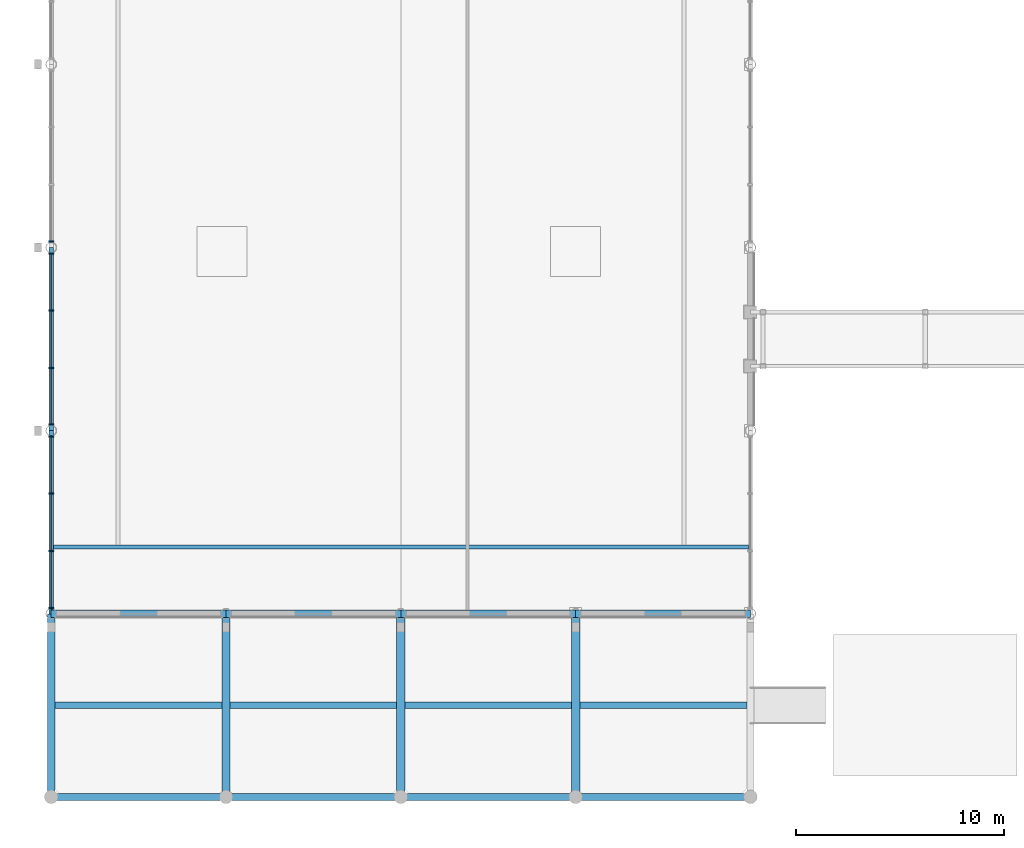
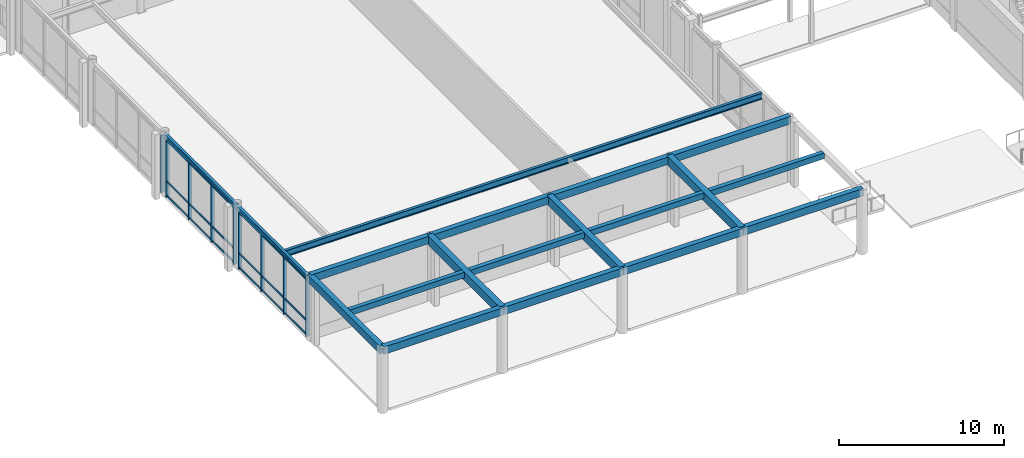
# One storey, part 11 of 58: 27 members, 19 beams, 3 elements without a shape of their own.
"""IFC4 building model written with IfcOpenShell, lengths in metres."""

from ifc_helpers import new_model, si_unit, direction, frame, origin, origin_2d, place, context, subcontext, project, spatial, rectangle, i_section, extrude, material, material_profile, profile_set, type_object, element, aggregate, save


model = new_model("IFC4")

# Units and contexts
model_context = context("Model", 3, precision=1e-05, world=origin(), true_north=direction((0.0, 1.0)))
body_context = subcontext(model_context, "Body", "Model", "MODEL_VIEW")
ifc_project = project(units=[si_unit("LENGTHUNIT", "METRE"), si_unit("AREAUNIT", "SQUARE_METRE"), si_unit("VOLUMEUNIT", "CUBIC_METRE"), si_unit("PLANEANGLEUNIT", "RADIAN"), si_unit("MASSUNIT", "GRAM", prefix="KILO")], contexts=[model_context])

# Site, building, storey
site_placement = place(None, origin())
site = spatial("IfcSite", under=ifc_project, at=site_placement, CompositionType="ELEMENT")
building_placement = place(site_placement, origin())
building = spatial("IfcBuilding", under=site, at=building_placement, Name="Kemercrest Conservatory and Botanical Centre", CompositionType="ELEMENT")
storey_placement = place(building_placement, origin())
storey = spatial("IfcBuildingStorey", under=building, at=storey_placement, Name="L00", CompositionType="ELEMENT", Elevation=0.0)

# Beams
ifc_material_1 = material(Name="Concrete C40/50", Category="concrete")
ifc_material_profile_1 = material_profile(ifc_material_1, rectangle(XDim=0.39990234375, YDim=0.64990234375, at=origin_2d()), Name="RC 400x650")
ifc_profile_set_1 = profile_set([ifc_material_profile_1], Name="Concrete C40/50")
beam_type_1 = type_object("IfcBeamType", Name="BM-RC65", PredefinedType="BEAM", material=ifc_profile_set_1)
for number, where, z_axis, x_axis, name in (
    (1, (16.39990234375, 8.0, 4.47509765625), (0.0, 1.0, 0.0), (-1.0, 0.0, 0.0), "V1COL beam BM-RC65 02/A-B"),
    (2, (24.800048828125, 8.0, 4.47509765625), (0.0, 1.0, 0.0), (-1.0, 0.0, 0.0), "V1COL beam BM-RC65 03/A-B"),
    (3, (33.199951171875, 8.0, 4.47509765625), (0.0, 1.0, 0.0), (-1.0, 0.0, 0.0), "V1COL beam BM-RC65 04/A-B"),
):
    element("IfcBeam", number, at=place(storey_placement, frame(where, z_axis=z_axis, x_axis=x_axis)), inside=storey, type_object=beam_type_1, Name=name, PredefinedType="BEAM", context=body_context, shape_type="SweptSolid", body=[
        extrude(rectangle(XDim=0.39990234375, YDim=0.64990234375, at=origin_2d()), origin(), (0.0, 0.0, 1.0), 8.800048828125),
    ])
ifc_material_2 = material(Name="Steel CSA G40.21 350W", Category="steel")
ifc_material_profile_2 = material_profile(ifc_material_2, i_section(OverallWidth=0.194091796875, OverallDepth=0.468994140625, WebThickness=0.0126953125, FlangeThickness=0.0205078125, FilletRadius=0.01806640625, at=origin_2d()), Name="W460X106")
ifc_profile_set_2 = profile_set([ifc_material_profile_2], Name="Steel CSA G40.21 350W")
beam_type_2 = type_object("IfcBeamType", Name="BM-W460", PredefinedType="BEAM", material=ifc_profile_set_2)
beam_1_placement = place(storey_placement, frame((8.10009765625, 20.0, 4.345458984375), z_axis=(1.0, 0.0, 0.0), x_axis=(0.0, 1.0, 0.0)))
element("IfcBeam", 4, at=beam_1_placement, inside=storey, type_object=beam_type_2, Name="Conservatory canopy inner edge girder", PredefinedType="BEAM", context=body_context, shape_type="SweptSolid", body=[
    extrude(i_section(OverallWidth=0.194091796875, OverallDepth=0.468994140625, WebThickness=0.0126953125, FlangeThickness=0.0205078125, FilletRadius=0.01806640625, at=origin_2d()), origin(), (0.0, 0.0, 1.0), 33.39990234375),
])

# Curtain wall, member
ifc_material_3 = material(Name="Thermally broken aluminium and triple low-e glazing", Category="aluminium")
curtain_wall_type_1 = type_object("IfcCurtainWallType", Name="CW-06", PredefinedType="USERDEFINED", material=ifc_material_3)
curtain_wall_1_placement = place(storey_placement, origin())
curtain_wall_1 = element("IfcCurtainWall", 5, at=curtain_wall_1_placement, inside=storey, type_object=curtain_wall_type_1, Name="Unitised curtain wall CW-06 (CW:L00:V1-005)", ObjectType="UNITISED CURTAIN WALL", PredefinedType="USERDEFINED")
ifc_material_4 = material(Name="Thermally broken anodized aluminium 6063-T6", Category="aluminium")
ifc_material_profile_3 = material_profile(ifc_material_4, rectangle(XDim=0.239990234375, YDim=0.074951171875, at=origin_2d()), Name="AL MULLION 75x240")
ifc_profile_set_3 = profile_set([ifc_material_profile_3], Name="Thermally broken anodized aluminium 6063-T6")
member_type_1 = type_object("IfcMemberType", Name="CW-M225", PredefinedType="MULLION", material=ifc_profile_set_3)
member_1_placement = place(storey_placement, frame((8.0, 34.6865234375, 0.0), z_axis=(0.0, 0.0, 1.0), x_axis=(1.0, 0.0, 0.0)))
member_1 = element("IfcMember", 6, at=member_1_placement, type_object=member_type_1, Name="CW-06 mullion 4", PredefinedType="MULLION", context=body_context, shape_type="SweptSolid", body=[
    extrude(rectangle(XDim=0.239990234375, YDim=0.074951171875, at=origin_2d()), origin(), (0.0, 0.0, 1.0), 4.23095703125),
])
aggregate(curtain_wall_1, [member_1])

# Curtain wall, members
curtain_wall_type_2 = type_object("IfcCurtainWallType", Name="CW-07", PredefinedType="USERDEFINED", material=ifc_material_3)
curtain_wall_2_placement = place(storey_placement, origin())
curtain_wall_2 = element("IfcCurtainWall", 7, at=curtain_wall_2_placement, inside=storey, type_object=curtain_wall_type_2, Name="Unitised curtain wall CW-07 (CW:L00:V1-006)", ObjectType="UNITISED CURTAIN WALL", PredefinedType="USERDEFINED")
member_2_placement = place(storey_placement, frame((8.0, 34.113525390625, 0.0), z_axis=(0.0, 0.0, 1.0), x_axis=(1.0, 0.0, 0.0)))
member_2 = element("IfcMember", 8, at=member_2_placement, type_object=member_type_1, Name="CW-07 mullion 1", PredefinedType="MULLION", context=body_context, shape_type="SweptSolid", body=[
    extrude(rectangle(XDim=0.239990234375, YDim=0.074951171875, at=origin_2d()), origin(), (0.0, 0.0, 1.0), 4.23095703125),
])
member_3_placement = place(storey_placement, frame((8.0, 31.383544921875, 0.0), z_axis=(0.0, 0.0, 1.0), x_axis=(1.0, 0.0, 0.0)))
member_3 = element("IfcMember", 9, at=member_3_placement, type_object=member_type_1, Name="CW-07 mullion 2", PredefinedType="MULLION", context=body_context, shape_type="SweptSolid", body=[
    extrude(rectangle(XDim=0.239990234375, YDim=0.074951171875, at=origin_2d()), origin(), (0.0, 0.0, 1.0), 4.23095703125),
])
member_4_placement = place(storey_placement, frame((8.0, 28.616455078125, 0.0), z_axis=(0.0, 0.0, 1.0), x_axis=(1.0, 0.0, 0.0)))
member_4 = element("IfcMember", 10, at=member_4_placement, type_object=member_type_1, Name="CW-07 mullion 3", PredefinedType="MULLION", context=body_context, shape_type="SweptSolid", body=[
    extrude(rectangle(XDim=0.239990234375, YDim=0.074951171875, at=origin_2d()), origin(), (0.0, 0.0, 1.0), 4.23095703125),
])
member_5_placement = place(storey_placement, frame((8.0, 25.886474609375, 0.0), z_axis=(0.0, 0.0, 1.0), x_axis=(1.0, 0.0, 0.0)))
member_5 = element("IfcMember", 11, at=member_5_placement, type_object=member_type_1, Name="CW-07 mullion 4", PredefinedType="MULLION", context=body_context, shape_type="SweptSolid", body=[
    extrude(rectangle(XDim=0.239990234375, YDim=0.074951171875, at=origin_2d()), origin(), (0.0, 0.0, 1.0), 4.23095703125),
])

curtain_wall_type_3 = type_object("IfcCurtainWallType", Name="CW-08", PredefinedType="USERDEFINED", material=ifc_material_3)
curtain_wall_3_placement = place(storey_placement, origin())
curtain_wall_3 = element("IfcCurtainWall", 12, at=curtain_wall_3_placement, inside=storey, type_object=curtain_wall_type_3, Name="Unitised curtain wall CW-08 (CW:L00:V1-007)", ObjectType="UNITISED CURTAIN WALL", PredefinedType="USERDEFINED")
member_6_placement = place(storey_placement, frame((8.0, 25.3134765625, 0.0), z_axis=(0.0, 0.0, 1.0), x_axis=(1.0, 0.0, 0.0)))
member_6 = element("IfcMember", 13, at=member_6_placement, type_object=member_type_1, Name="CW-08 mullion 1", PredefinedType="MULLION", context=body_context, shape_type="SweptSolid", body=[
    extrude(rectangle(XDim=0.239990234375, YDim=0.074951171875, at=origin_2d()), origin(), (0.0, 0.0, 1.0), 4.23095703125),
])
member_7_placement = place(storey_placement, frame((8.0, 22.583740234375, 0.0), z_axis=(0.0, 0.0, 1.0), x_axis=(1.0, 0.0, 0.0)))
member_7 = element("IfcMember", 14, at=member_7_placement, type_object=member_type_1, Name="CW-08 mullion 2", PredefinedType="MULLION", context=body_context, shape_type="SweptSolid", body=[
    extrude(rectangle(XDim=0.239990234375, YDim=0.074951171875, at=origin_2d()), origin(), (0.0, 0.0, 1.0), 4.23095703125),
])
member_8_placement = place(storey_placement, frame((8.0, 19.81640625, 0.0), z_axis=(0.0, 0.0, 1.0), x_axis=(1.0, 0.0, 0.0)))
member_8 = element("IfcMember", 15, at=member_8_placement, type_object=member_type_1, Name="CW-08 mullion 3", PredefinedType="MULLION", context=body_context, shape_type="SweptSolid", body=[
    extrude(rectangle(XDim=0.239990234375, YDim=0.074951171875, at=origin_2d()), origin(), (0.0, 0.0, 1.0), 4.23095703125),
])
member_9_placement = place(storey_placement, frame((8.0, 17.08642578125, 0.0), z_axis=(0.0, 0.0, 1.0), x_axis=(1.0, 0.0, 0.0)))
member_9 = element("IfcMember", 16, at=member_9_placement, type_object=member_type_1, Name="CW-08 mullion 4", PredefinedType="MULLION", context=body_context, shape_type="SweptSolid", body=[
    extrude(rectangle(XDim=0.239990234375, YDim=0.074951171875, at=origin_2d()), origin(), (0.0, 0.0, 1.0), 4.23095703125),
])

# Member
ifc_material_profile_4 = material_profile(ifc_material_4, rectangle(XDim=0.06494140625, YDim=0.14990234375, at=origin_2d()), Name="AL TRANSOM 65x150")
ifc_profile_set_4 = profile_set([ifc_material_profile_4], Name="Thermally broken anodized aluminium 6063-T6")
member_type_2 = type_object("IfcMemberType", Name="CW-T200", PredefinedType="USERDEFINED", material=ifc_profile_set_4)
member_10_placement = place(storey_placement, frame((8.0, 34.075927734375, 0.074951171875), z_axis=(0.0, -1.0, 0.0), x_axis=(1.0, 0.0, 0.0)))
member_10 = element("IfcMember", 17, at=member_10_placement, type_object=member_type_2, Name="CW-07 transom 1.1", ObjectType="TRANSOM", PredefinedType="USERDEFINED", context=body_context, shape_type="SweptSolid", body=[
    extrude(rectangle(XDim=0.06494140625, YDim=0.14990234375, at=origin_2d()), origin(), (0.0, 0.0, 1.0), 2.65478515625),
])

member_11_placement = place(storey_placement, frame((8.0, 34.075927734375, 1.1201171875), z_axis=(0.0, -1.0, 0.0), x_axis=(1.0, 0.0, 0.0)))
member_11 = element("IfcMember", 18, at=member_11_placement, type_object=member_type_2, Name="CW-07 transom 1.2", ObjectType="TRANSOM", PredefinedType="USERDEFINED", context=body_context, shape_type="SweptSolid", body=[
    extrude(rectangle(XDim=0.06494140625, YDim=0.14990234375, at=origin_2d()), origin(), (0.0, 0.0, 1.0), 2.65478515625),
])

member_12_placement = place(storey_placement, frame((8.0, 34.075927734375, 4.156005859375), z_axis=(0.0, -1.0, 0.0), x_axis=(1.0, 0.0, 0.0)))
member_12 = element("IfcMember", 19, at=member_12_placement, type_object=member_type_2, Name="CW-07 transom 1.3", ObjectType="TRANSOM", PredefinedType="USERDEFINED", context=body_context, shape_type="SweptSolid", body=[
    extrude(rectangle(XDim=0.06494140625, YDim=0.14990234375, at=origin_2d()), origin(), (0.0, 0.0, 1.0), 2.65478515625),
])

member_13_placement = place(storey_placement, frame((8.0, 31.34619140625, 0.074951171875), z_axis=(0.0, -1.0, 0.0), x_axis=(1.0, 0.0, 0.0)))
member_13 = element("IfcMember", 20, at=member_13_placement, type_object=member_type_2, Name="CW-07 transom 2.1", ObjectType="TRANSOM", PredefinedType="USERDEFINED", context=body_context, shape_type="SweptSolid", body=[
    extrude(rectangle(XDim=0.06494140625, YDim=0.14990234375, at=origin_2d()), origin(), (0.0, 0.0, 1.0), 2.6923828125),
])

member_14_placement = place(storey_placement, frame((8.0, 31.34619140625, 1.1201171875), z_axis=(0.0, -1.0, 0.0), x_axis=(1.0, 0.0, 0.0)))
member_14 = element("IfcMember", 21, at=member_14_placement, type_object=member_type_2, Name="CW-07 transom 2.2", ObjectType="TRANSOM", PredefinedType="USERDEFINED", context=body_context, shape_type="SweptSolid", body=[
    extrude(rectangle(XDim=0.06494140625, YDim=0.14990234375, at=origin_2d()), origin(), (0.0, 0.0, 1.0), 2.6923828125),
])

member_15_placement = place(storey_placement, frame((8.0, 31.34619140625, 4.156005859375), z_axis=(0.0, -1.0, 0.0), x_axis=(1.0, 0.0, 0.0)))
member_15 = element("IfcMember", 22, at=member_15_placement, type_object=member_type_2, Name="CW-07 transom 2.3", ObjectType="TRANSOM", PredefinedType="USERDEFINED", context=body_context, shape_type="SweptSolid", body=[
    extrude(rectangle(XDim=0.06494140625, YDim=0.14990234375, at=origin_2d()), origin(), (0.0, 0.0, 1.0), 2.6923828125),
])

member_16_placement = place(storey_placement, frame((8.0, 28.578857421875, 0.074951171875), z_axis=(0.0, -1.0, 0.0), x_axis=(1.0, 0.0, 0.0)))
member_16 = element("IfcMember", 23, at=member_16_placement, type_object=member_type_2, Name="CW-07 transom 3.1", ObjectType="TRANSOM", PredefinedType="USERDEFINED", context=body_context, shape_type="SweptSolid", body=[
    extrude(rectangle(XDim=0.06494140625, YDim=0.14990234375, at=origin_2d()), origin(), (0.0, 0.0, 1.0), 2.65478515625),
])

member_17_placement = place(storey_placement, frame((8.0, 28.578857421875, 1.1201171875), z_axis=(0.0, -1.0, 0.0), x_axis=(1.0, 0.0, 0.0)))
member_17 = element("IfcMember", 24, at=member_17_placement, type_object=member_type_2, Name="CW-07 transom 3.2", ObjectType="TRANSOM", PredefinedType="USERDEFINED", context=body_context, shape_type="SweptSolid", body=[
    extrude(rectangle(XDim=0.06494140625, YDim=0.14990234375, at=origin_2d()), origin(), (0.0, 0.0, 1.0), 2.65478515625),
])

member_18_placement = place(storey_placement, frame((8.0, 28.578857421875, 4.156005859375), z_axis=(0.0, -1.0, 0.0), x_axis=(1.0, 0.0, 0.0)))
member_18 = element("IfcMember", 25, at=member_18_placement, type_object=member_type_2, Name="CW-07 transom 3.3", ObjectType="TRANSOM", PredefinedType="USERDEFINED", context=body_context, shape_type="SweptSolid", body=[
    extrude(rectangle(XDim=0.06494140625, YDim=0.14990234375, at=origin_2d()), origin(), (0.0, 0.0, 1.0), 2.65478515625),
])

aggregate(curtain_wall_2, [member_2, member_3, member_4, member_5, member_10, member_11, member_12, member_13, member_14, member_15, member_16, member_17, member_18])

member_19_placement = place(storey_placement, frame((8.0, 25.27587890625, 0.074951171875), z_axis=(0.0, -1.0, 0.0), x_axis=(1.0, 0.0, 0.0)))
member_19 = element("IfcMember", 26, at=member_19_placement, type_object=member_type_2, Name="CW-08 transom 1.1", ObjectType="TRANSOM", PredefinedType="USERDEFINED", context=body_context, shape_type="SweptSolid", body=[
    extrude(rectangle(XDim=0.06494140625, YDim=0.14990234375, at=origin_2d()), origin(), (0.0, 0.0, 1.0), 2.65478515625),
])

member_20_placement = place(storey_placement, frame((8.0, 25.27587890625, 1.1201171875), z_axis=(0.0, -1.0, 0.0), x_axis=(1.0, 0.0, 0.0)))
member_20 = element("IfcMember", 27, at=member_20_placement, type_object=member_type_2, Name="CW-08 transom 1.2", ObjectType="TRANSOM", PredefinedType="USERDEFINED", context=body_context, shape_type="SweptSolid", body=[
    extrude(rectangle(XDim=0.06494140625, YDim=0.14990234375, at=origin_2d()), origin(), (0.0, 0.0, 1.0), 2.65478515625),
])

member_21_placement = place(storey_placement, frame((8.0, 25.27587890625, 4.156005859375), z_axis=(0.0, -1.0, 0.0), x_axis=(1.0, 0.0, 0.0)))
member_21 = element("IfcMember", 28, at=member_21_placement, type_object=member_type_2, Name="CW-08 transom 1.3", ObjectType="TRANSOM", PredefinedType="USERDEFINED", context=body_context, shape_type="SweptSolid", body=[
    extrude(rectangle(XDim=0.06494140625, YDim=0.14990234375, at=origin_2d()), origin(), (0.0, 0.0, 1.0), 2.65478515625),
])

member_22_placement = place(storey_placement, frame((8.0, 22.546142578125, 0.074951171875), z_axis=(0.0, -1.0, 0.0), x_axis=(1.0, 0.0, 0.0)))
member_22 = element("IfcMember", 29, at=member_22_placement, type_object=member_type_2, Name="CW-08 transom 2.1", ObjectType="TRANSOM", PredefinedType="USERDEFINED", context=body_context, shape_type="SweptSolid", body=[
    extrude(rectangle(XDim=0.06494140625, YDim=0.14990234375, at=origin_2d()), origin(), (0.0, 0.0, 1.0), 2.6923828125),
])

member_23_placement = place(storey_placement, frame((8.0, 22.546142578125, 1.1201171875), z_axis=(0.0, -1.0, 0.0), x_axis=(1.0, 0.0, 0.0)))
member_23 = element("IfcMember", 30, at=member_23_placement, type_object=member_type_2, Name="CW-08 transom 2.2", ObjectType="TRANSOM", PredefinedType="USERDEFINED", context=body_context, shape_type="SweptSolid", body=[
    extrude(rectangle(XDim=0.06494140625, YDim=0.14990234375, at=origin_2d()), origin(), (0.0, 0.0, 1.0), 2.6923828125),
])

member_24_placement = place(storey_placement, frame((8.0, 22.546142578125, 4.156005859375), z_axis=(0.0, -1.0, 0.0), x_axis=(1.0, 0.0, 0.0)))
member_24 = element("IfcMember", 31, at=member_24_placement, type_object=member_type_2, Name="CW-08 transom 2.3", ObjectType="TRANSOM", PredefinedType="USERDEFINED", context=body_context, shape_type="SweptSolid", body=[
    extrude(rectangle(XDim=0.06494140625, YDim=0.14990234375, at=origin_2d()), origin(), (0.0, 0.0, 1.0), 2.6923828125),
])

member_25_placement = place(storey_placement, frame((8.0, 19.77880859375, 0.074951171875), z_axis=(0.0, -1.0, 0.0), x_axis=(1.0, 0.0, 0.0)))
member_25 = element("IfcMember", 32, at=member_25_placement, type_object=member_type_2, Name="CW-08 transom 3.1", ObjectType="TRANSOM", PredefinedType="USERDEFINED", context=body_context, shape_type="SweptSolid", body=[
    extrude(rectangle(XDim=0.06494140625, YDim=0.14990234375, at=origin_2d()), origin(), (0.0, 0.0, 1.0), 2.65478515625),
])

member_26_placement = place(storey_placement, frame((8.0, 19.77880859375, 1.1201171875), z_axis=(0.0, -1.0, 0.0), x_axis=(1.0, 0.0, 0.0)))
member_26 = element("IfcMember", 33, at=member_26_placement, type_object=member_type_2, Name="CW-08 transom 3.2", ObjectType="TRANSOM", PredefinedType="USERDEFINED", context=body_context, shape_type="SweptSolid", body=[
    extrude(rectangle(XDim=0.06494140625, YDim=0.14990234375, at=origin_2d()), origin(), (0.0, 0.0, 1.0), 2.65478515625),
])

member_27_placement = place(storey_placement, frame((8.0, 19.77880859375, 4.156005859375), z_axis=(0.0, -1.0, 0.0), x_axis=(1.0, 0.0, 0.0)))
member_27 = element("IfcMember", 34, at=member_27_placement, type_object=member_type_2, Name="CW-08 transom 3.3", ObjectType="TRANSOM", PredefinedType="USERDEFINED", context=body_context, shape_type="SweptSolid", body=[
    extrude(rectangle(XDim=0.06494140625, YDim=0.14990234375, at=origin_2d()), origin(), (0.0, 0.0, 1.0), 2.65478515625),
])

aggregate(curtain_wall_3, [member_6, member_7, member_8, member_9, member_19, member_20, member_21, member_22, member_23, member_24, member_25, member_26, member_27])

# Beams
ifc_material_profile_5 = material_profile(ifc_material_1, rectangle(XDim=0.300048828125, YDim=0.419921875, at=origin_2d()), Name="RC 300x420")
ifc_profile_set_5 = profile_set([ifc_material_profile_5], Name="Concrete C40/50")
beam_type_3 = type_object("IfcBeamType", Name="JS-RC42", PredefinedType="JOIST", material=ifc_profile_set_5)
beam_2_placement = place(storey_placement, frame((8.175048828125, 12.39990234375, 4.590087890625), z_axis=(1.0, 0.0, 0.0), x_axis=(0.0, 1.0, 0.0)))
element("IfcBeam", 35, at=beam_2_placement, inside=storey, type_object=beam_type_3, Name="V1COL secondary joist JS-RC42", PredefinedType="JOIST", context=body_context, shape_type="SweptSolid", body=[
    extrude(rectangle(XDim=0.300048828125, YDim=0.419921875, at=origin_2d()), origin(), (0.0, 0.0, 1.0), 8.02490234375),
])
for number, where, z_axis, x_axis, name in (
    (36, (16.60009765625, 12.39990234375, 4.590087890625), (1.0, 0.0, 0.0), (0.0, 1.0, 0.0), "V1COL secondary joist JS-RC42"),
    (37, (25.0, 12.39990234375, 4.590087890625), (1.0, 0.0, 0.0), (0.0, 1.0, 0.0), "V1COL secondary joist JS-RC42"),
):
    element("IfcBeam", number, at=place(storey_placement, frame(where, z_axis=z_axis, x_axis=x_axis)), inside=storey, type_object=beam_type_3, Name=name, PredefinedType="JOIST", context=body_context, shape_type="SweptSolid", body=[
        extrude(rectangle(XDim=0.300048828125, YDim=0.419921875, at=origin_2d()), origin(), (0.0, 0.0, 1.0), 8.0),
    ])
beam_3_placement = place(storey_placement, frame((33.39990234375, 12.39990234375, 4.590087890625), z_axis=(1.0, 0.0, 0.0), x_axis=(0.0, 1.0, 0.0)))
element("IfcBeam", 38, at=beam_3_placement, inside=storey, type_object=beam_type_3, Name="V1COL secondary joist JS-RC42", PredefinedType="JOIST", context=body_context, shape_type="SweptSolid", body=[
    extrude(rectangle(XDim=0.300048828125, YDim=0.419921875, at=origin_2d()), origin(), (0.0, 0.0, 1.0), 8.025146484375),
])
ifc_material_profile_6 = material_profile(ifc_material_2, i_section(OverallWidth=0.205078125, OverallDepth=0.35400390625, WebThickness=0.009521484375, FlangeThickness=0.016845703125, FilletRadius=0.014892578125, at=origin_2d()), Name="W360X79")
ifc_profile_set_6 = profile_set([ifc_material_profile_6], Name="Steel CSA G40.21 350W")
beam_type_4 = type_object("IfcBeamType", Name="JS-W360", PredefinedType="JOIST", material=ifc_profile_set_6)
beam_4_placement = place(storey_placement, frame((8.0, 16.800048828125, 4.403076171875), z_axis=(0.0, 1.0, 0.0), x_axis=(-1.0, 0.0, 0.0)))
element("IfcBeam", 39, at=beam_4_placement, inside=storey, type_object=beam_type_4, Name="Conservatory canopy perimeter beam", PredefinedType="JOIST", context=body_context, shape_type="SweptSolid", body=[
    extrude(i_section(OverallWidth=0.205078125, OverallDepth=0.35400390625, WebThickness=0.009521484375, FlangeThickness=0.016845703125, FilletRadius=0.014892578125, at=origin_2d()), origin(), (0.0, 0.0, 1.0), 8.800048828125),
])
beam_5_placement = place(storey_placement, frame((8.0, 25.60009765625, 4.403076171875), z_axis=(0.0, 1.0, 0.0), x_axis=(-1.0, 0.0, 0.0)))
element("IfcBeam", 40, at=beam_5_placement, inside=storey, type_object=beam_type_4, Name="Conservatory canopy perimeter beam", PredefinedType="JOIST", context=body_context, shape_type="SweptSolid", body=[
    extrude(i_section(OverallWidth=0.205078125, OverallDepth=0.35400390625, WebThickness=0.009521484375, FlangeThickness=0.016845703125, FilletRadius=0.014892578125, at=origin_2d()), origin(), (0.0, 0.0, 1.0), 8.7998046875),
])
ifc_material_5 = material(Name="Precast concrete C40/50", Category="concrete")
ifc_material_profile_7 = material_profile(ifc_material_5, rectangle(XDim=0.35009765625, YDim=0.550048828125, at=origin_2d()), Name="RC 350x550")
ifc_profile_set_7 = profile_set([ifc_material_profile_7], Name="Precast concrete C40/50")
beam_type_5 = type_object("IfcBeamType", Name="SP-ARC65", PredefinedType="SPANDREL", material=ifc_profile_set_7)
beam_6_placement = place(storey_placement, frame((8.0, 8.0, 4.52490234375), z_axis=(1.0, 0.0, 0.0), x_axis=(0.0, 1.0, 0.0)))
element("IfcBeam", 41, at=beam_6_placement, inside=storey, type_object=beam_type_5, Name="V1COL beam SP-ARC65 A/01-02", PredefinedType="SPANDREL", context=body_context, shape_type="SweptSolid", body=[
    extrude(rectangle(XDim=0.35009765625, YDim=0.550048828125, at=origin_2d()), origin(), (0.0, 0.0, 1.0), 8.39990234375),
])
beam_7_placement = place(storey_placement, frame((16.39990234375, 8.0, 4.52490234375), z_axis=(1.0, 0.0, 0.0), x_axis=(0.0, 1.0, 0.0)))
element("IfcBeam", 42, at=beam_7_placement, inside=storey, type_object=beam_type_5, Name="V1COL beam SP-ARC65 A/02-03", PredefinedType="SPANDREL", context=body_context, shape_type="SweptSolid", body=[
    extrude(rectangle(XDim=0.35009765625, YDim=0.550048828125, at=origin_2d()), origin(), (0.0, 0.0, 1.0), 8.400146484375),
])
beam_8_placement = place(storey_placement, frame((24.800048828125, 8.0, 4.52490234375), z_axis=(1.0, 0.0, 0.0), x_axis=(0.0, 1.0, 0.0)))
element("IfcBeam", 43, at=beam_8_placement, inside=storey, type_object=beam_type_5, Name="V1COL beam SP-ARC65 A/03-04", PredefinedType="SPANDREL", context=body_context, shape_type="SweptSolid", body=[
    extrude(rectangle(XDim=0.35009765625, YDim=0.550048828125, at=origin_2d()), origin(), (0.0, 0.0, 1.0), 8.39990234375),
])
beam_9_placement = place(storey_placement, frame((33.199951171875, 8.0, 4.52490234375), z_axis=(1.0, 0.0, 0.0), x_axis=(0.0, 1.0, 0.0)))
element("IfcBeam", 44, at=beam_9_placement, inside=storey, type_object=beam_type_5, Name="V1COL beam SP-ARC65 A/04-05", PredefinedType="SPANDREL", context=body_context, shape_type="SweptSolid", body=[
    extrude(rectangle(XDim=0.35009765625, YDim=0.550048828125, at=origin_2d()), origin(), (0.0, 0.0, 1.0), 8.400146484375),
])
beam_10_placement = place(storey_placement, frame((8.0, 16.800048828125, 4.52490234375), z_axis=(1.0, 0.0, 0.0), x_axis=(0.0, 1.0, 0.0)))
element("IfcBeam", 45, at=beam_10_placement, inside=storey, type_object=beam_type_5, Name="V1COL beam SP-ARC65 B/01-02", PredefinedType="SPANDREL", context=body_context, shape_type="SweptSolid", body=[
    extrude(rectangle(XDim=0.35009765625, YDim=0.550048828125, at=origin_2d()), origin(), (0.0, 0.0, 1.0), 8.39990234375),
])
beam_11_placement = place(storey_placement, frame((16.39990234375, 16.800048828125, 4.52490234375), z_axis=(1.0, 0.0, 0.0), x_axis=(0.0, 1.0, 0.0)))
element("IfcBeam", 46, at=beam_11_placement, inside=storey, type_object=beam_type_5, Name="V1COL beam SP-ARC65 B/02-03", PredefinedType="SPANDREL", context=body_context, shape_type="SweptSolid", body=[
    extrude(rectangle(XDim=0.35009765625, YDim=0.550048828125, at=origin_2d()), origin(), (0.0, 0.0, 1.0), 8.400146484375),
])
beam_12_placement = place(storey_placement, frame((24.800048828125, 16.800048828125, 4.52490234375), z_axis=(1.0, 0.0, 0.0), x_axis=(0.0, 1.0, 0.0)))
element("IfcBeam", 47, at=beam_12_placement, inside=storey, type_object=beam_type_5, Name="V1COL beam SP-ARC65 B/03-04", PredefinedType="SPANDREL", context=body_context, shape_type="SweptSolid", body=[
    extrude(rectangle(XDim=0.35009765625, YDim=0.550048828125, at=origin_2d()), origin(), (0.0, 0.0, 1.0), 8.39990234375),
])
beam_13_placement = place(storey_placement, frame((33.199951171875, 16.800048828125, 4.52490234375), z_axis=(1.0, 0.0, 0.0), x_axis=(0.0, 1.0, 0.0)))
element("IfcBeam", 48, at=beam_13_placement, inside=storey, type_object=beam_type_5, Name="V1COL beam SP-ARC65 B/04-05", PredefinedType="SPANDREL", context=body_context, shape_type="SweptSolid", body=[
    extrude(rectangle(XDim=0.35009765625, YDim=0.550048828125, at=origin_2d()), origin(), (0.0, 0.0, 1.0), 8.400146484375),
])
beam_14_placement = place(storey_placement, frame((8.0, 8.0, 4.52490234375), z_axis=(0.0, 1.0, 0.0), x_axis=(-1.0, 0.0, 0.0)))
element("IfcBeam", 49, at=beam_14_placement, inside=storey, type_object=beam_type_5, Name="V1COL beam SP-ARC65 01/A-B", PredefinedType="SPANDREL", context=body_context, shape_type="SweptSolid", body=[
    extrude(rectangle(XDim=0.35009765625, YDim=0.550048828125, at=origin_2d()), origin(), (0.0, 0.0, 1.0), 8.800048828125),
])

save(model, "model.ifc")
